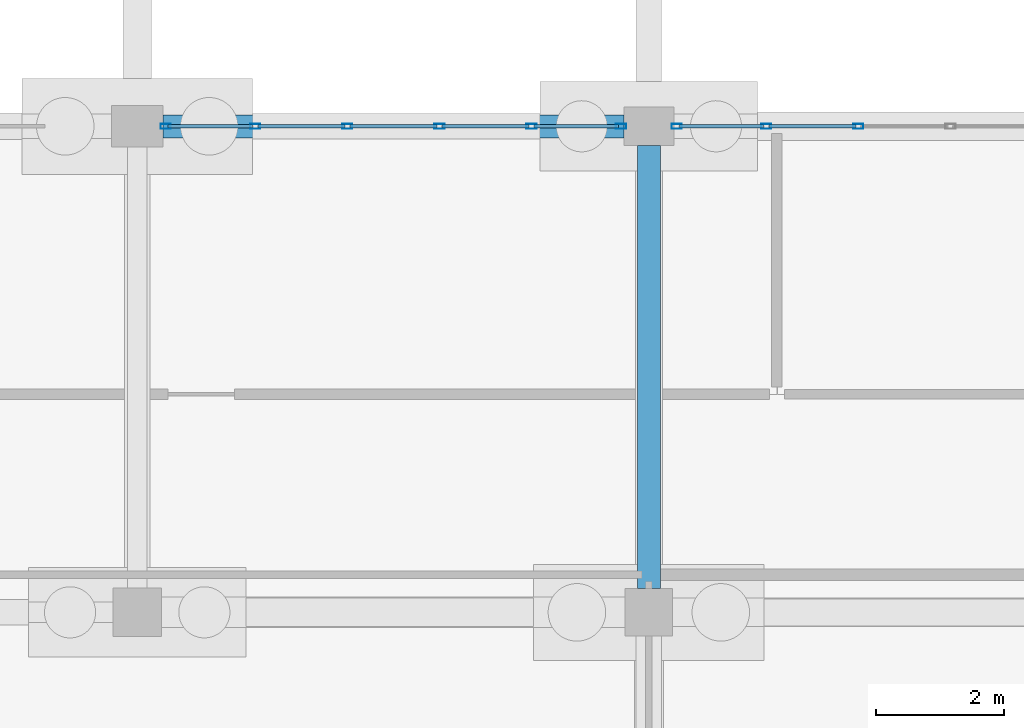
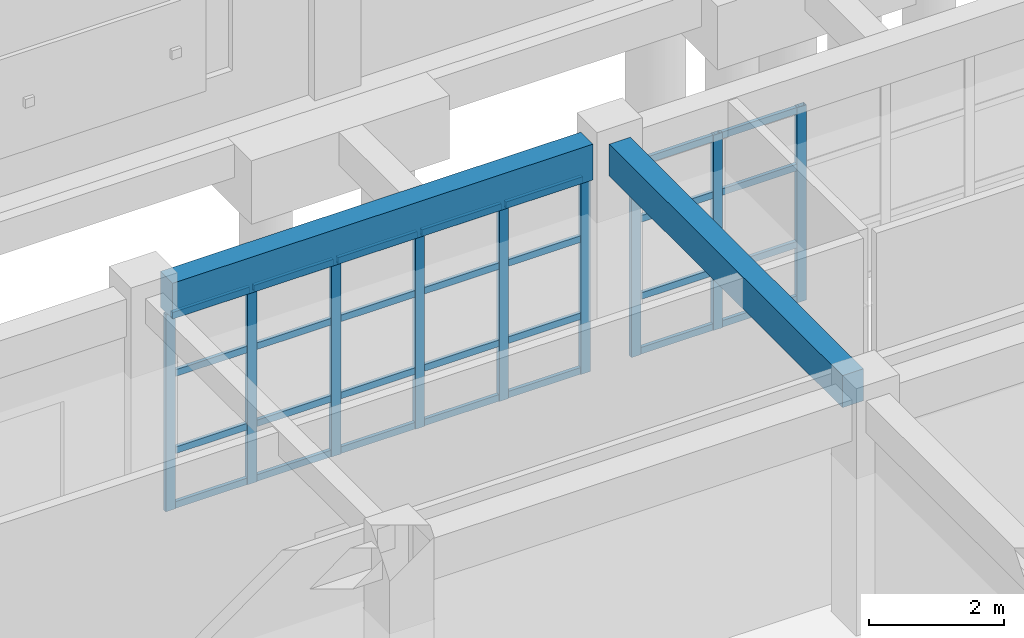
# One storey, part 50 of 166: 37 members, 2 beams, 2 elements without a shape of their own.
"""IFC4 building model written with IfcOpenShell, lengths in metres."""

from ifc_helpers import new_model, si_unit, direction, frame, origin, origin_2d, place, context, subcontext, project, spatial, rectangle, hollow_rectangle, extrude, material, material_profile, profile_set, type_object, element, aggregate, save


model = new_model("IFC4")

# Units and contexts
model_context = context("Model", 3, precision=1e-05, world=origin(), true_north=direction((0.0, 1.0)))
body_context = subcontext(model_context, "Body", "Model", "MODEL_VIEW")
ifc_project = project(units=[si_unit("LENGTHUNIT", "METRE"), si_unit("AREAUNIT", "SQUARE_METRE"), si_unit("VOLUMEUNIT", "CUBIC_METRE"), si_unit("PLANEANGLEUNIT", "RADIAN"), si_unit("MASSUNIT", "GRAM", prefix="KILO")], contexts=[model_context])

# Site, building, storey
site_placement = place(None, origin())
site = spatial("IfcSite", under=ifc_project, at=site_placement, CompositionType="ELEMENT")
building_placement = place(site_placement, origin())
building = spatial("IfcBuilding", under=site, at=building_placement, Name="Kharva Crest Polytechnic", CompositionType="ELEMENT")
storey_placement = place(building_placement, origin())
storey = spatial("IfcBuildingStorey", under=building, at=storey_placement, Name="L00", CompositionType="ELEMENT", Elevation=0.0)

# Beam
ifc_material_1 = material(Name="Concrete C35/45", Category="concrete")
ifc_material_profile_1 = material_profile(ifc_material_1, rectangle(XDim=0.360107421875, YDim=0.580078125, at=origin_2d()), Name="RECT 360 X 580")
ifc_profile_set_1 = profile_set([ifc_material_profile_1], Name="Concrete C35/45")
beam_type_1 = type_object("IfcBeamType", Name="BM-RC-360X580", PredefinedType="BEAM", material=ifc_profile_set_1)
beam_1_placement = place(storey_placement, frame((16.0, 23.169921875, 3.929931640625), z_axis=(0.0, 1.0, 0.0), x_axis=(-1.0, 0.0, 0.0)))
element("IfcBeam", 1, at=beam_1_placement, inside=storey, type_object=beam_type_1, Name="L00 Girder 3/D-E", PredefinedType="BEAM", context=body_context, shape_type="SweptSolid", body=[
    extrude(rectangle(XDim=0.360107421875, YDim=0.580078125, at=origin_2d()), origin(), (0.0, 0.0, 1.0), 6.93017578125),
])

# Curtain wall, members
ifc_material_2 = material(Name="Tempered insulated glass", Category="glass")
curtain_wall_type = type_object("IfcCurtainWallType", Name="CW-SYS-COURT", PredefinedType="USERDEFINED", material=ifc_material_2)
curtain_wall_1_placement = place(storey_placement, origin())
curtain_wall_1 = element("IfcCurtainWall", 2, at=curtain_wall_1_placement, inside=storey, type_object=curtain_wall_type, Name="L00 Glazed Curtain Wall CW-003", ObjectType="CURTAIN WALL", PredefinedType="USERDEFINED")
ifc_material_3 = material(Name="Steel S355", Category="steel")
ifc_material_profile_2 = material_profile(ifc_material_3, hollow_rectangle(XDim=0.080078125, YDim=0.159912109375, WallThickness=0.0048828125, at=origin_2d()), Name="RHS 160X80X5.0")
ifc_profile_set_2 = profile_set([ifc_material_profile_2], Name="Steel S355")
member_type_1 = type_object("IfcMemberType", Name="CWM-RHS160X80", PredefinedType="MULLION", material=ifc_profile_set_2)
member_1_placement = place(storey_placement, frame((19.27490234375, 30.39990234375, 0.0), z_axis=(0.0, 0.0, 1.0), x_axis=(0.0, -1.0, 0.0)))
member_1 = element("IfcMember", 3, at=member_1_placement, type_object=member_type_1, Name="CW-003 mullion 4", PredefinedType="MULLION", context=body_context, shape_type="SweptSolid", body=[
    extrude(hollow_rectangle(XDim=0.080078125, YDim=0.159912109375, WallThickness=0.0048828125, at=origin_2d()), origin(), (0.0, 0.0, 1.0), 3.5400390625),
])
member_2_placement = place(storey_placement, frame((17.8349609375, 30.39990234375, 0.0), z_axis=(0.0, 0.0, 1.0), x_axis=(0.0, -1.0, 0.0)))
member_2 = element("IfcMember", 4, at=member_2_placement, type_object=member_type_1, Name="CW-003 mullion 5", PredefinedType="MULLION", context=body_context, shape_type="SweptSolid", body=[
    extrude(hollow_rectangle(XDim=0.080078125, YDim=0.159912109375, WallThickness=0.0048828125, at=origin_2d()), origin(), (0.0, 0.0, 1.0), 3.5400390625),
])
member_3_placement = place(storey_placement, frame((16.43505859375, 30.39990234375, 0.0), z_axis=(0.0, 0.0, 1.0), x_axis=(0.0, -1.0, 0.0)))
member_3 = element("IfcMember", 5, at=member_3_placement, type_object=member_type_1, Name="CW-003 mullion 6", PredefinedType="MULLION", context=body_context, shape_type="SweptSolid", body=[
    extrude(hollow_rectangle(XDim=0.080078125, YDim=0.159912109375, WallThickness=0.0048828125, at=origin_2d()), origin(), (0.0, 0.0, 1.0), 3.5400390625),
])

curtain_wall_2_placement = place(storey_placement, origin())
curtain_wall_2 = element("IfcCurtainWall", 6, at=curtain_wall_2_placement, inside=storey, type_object=curtain_wall_type, Name="L00 Glazed Curtain Wall CW-004", ObjectType="CURTAIN WALL", PredefinedType="USERDEFINED")
member_4_placement = place(storey_placement, frame((15.56494140625, 30.39990234375, 0.0), z_axis=(0.0, 0.0, 1.0), x_axis=(0.0, -1.0, 0.0)))
member_4 = element("IfcMember", 7, at=member_4_placement, type_object=member_type_1, Name="CW-004 mullion 1", PredefinedType="MULLION", context=body_context, shape_type="SweptSolid", body=[
    extrude(hollow_rectangle(XDim=0.080078125, YDim=0.159912109375, WallThickness=0.0048828125, at=origin_2d()), origin(), (0.0, 0.0, 1.0), 3.570068359375),
])
member_5_placement = place(storey_placement, frame((14.1650390625, 30.39990234375, 0.0), z_axis=(0.0, 0.0, 1.0), x_axis=(0.0, -1.0, 0.0)))
member_5 = element("IfcMember", 8, at=member_5_placement, type_object=member_type_1, Name="CW-004 mullion 2", PredefinedType="MULLION", context=body_context, shape_type="SweptSolid", body=[
    extrude(hollow_rectangle(XDim=0.080078125, YDim=0.159912109375, WallThickness=0.0048828125, at=origin_2d()), origin(), (0.0, 0.0, 1.0), 3.570068359375),
])
member_6_placement = place(storey_placement, frame((12.72509765625, 30.39990234375, 0.0), z_axis=(0.0, 0.0, 1.0), x_axis=(0.0, -1.0, 0.0)))
member_6 = element("IfcMember", 9, at=member_6_placement, type_object=member_type_1, Name="CW-004 mullion 3", PredefinedType="MULLION", context=body_context, shape_type="SweptSolid", body=[
    extrude(hollow_rectangle(XDim=0.080078125, YDim=0.159912109375, WallThickness=0.0048828125, at=origin_2d()), origin(), (0.0, 0.0, 1.0), 3.570068359375),
])
member_7_placement = place(storey_placement, frame((11.284912109375, 30.39990234375, 0.0), z_axis=(0.0, 0.0, 1.0), x_axis=(0.0, -1.0, 0.0)))
member_7 = element("IfcMember", 10, at=member_7_placement, type_object=member_type_1, Name="CW-004 mullion 4", PredefinedType="MULLION", context=body_context, shape_type="SweptSolid", body=[
    extrude(hollow_rectangle(XDim=0.080078125, YDim=0.159912109375, WallThickness=0.0048828125, at=origin_2d()), origin(), (0.0, 0.0, 1.0), 3.570068359375),
])
member_8_placement = place(storey_placement, frame((9.844970703125, 30.39990234375, 0.0), z_axis=(0.0, 0.0, 1.0), x_axis=(0.0, -1.0, 0.0)))
member_8 = element("IfcMember", 11, at=member_8_placement, type_object=member_type_1, Name="CW-004 mullion 5", PredefinedType="MULLION", context=body_context, shape_type="SweptSolid", body=[
    extrude(hollow_rectangle(XDim=0.080078125, YDim=0.159912109375, WallThickness=0.0048828125, at=origin_2d()), origin(), (0.0, 0.0, 1.0), 3.570068359375),
])
member_9_placement = place(storey_placement, frame((8.445068359375, 30.39990234375, 0.0), z_axis=(0.0, 0.0, 1.0), x_axis=(0.0, -1.0, 0.0)))
member_9 = element("IfcMember", 12, at=member_9_placement, type_object=member_type_1, Name="CW-004 mullion 6", PredefinedType="MULLION", context=body_context, shape_type="SweptSolid", body=[
    extrude(hollow_rectangle(XDim=0.080078125, YDim=0.159912109375, WallThickness=0.0048828125, at=origin_2d()), origin(), (0.0, 0.0, 1.0), 3.570068359375),
])

# Member
ifc_material_profile_3 = material_profile(ifc_material_3, hollow_rectangle(XDim=0.06005859375, YDim=0.1201171875, WallThickness=0.00390625, at=origin_2d()), Name="RHS 120X60X4.0")
ifc_profile_set_3 = profile_set([ifc_material_profile_3], Name="Steel S355")
member_type_2 = type_object("IfcMemberType", Name="CWT-RHS120X60", PredefinedType="USERDEFINED", material=ifc_profile_set_3)
member_10_placement = place(storey_placement, frame((19.235107421875, 30.39990234375, 0.06005859375), z_axis=(-1.0, 0.0, 0.0), x_axis=(0.0, -1.0, 0.0)))
member_10 = element("IfcMember", 13, at=member_10_placement, type_object=member_type_2, Name="CW-003 transom 4.1", ObjectType="TRANSOM", PredefinedType="USERDEFINED", context=body_context, shape_type="SweptSolid", body=[
    extrude(hollow_rectangle(XDim=0.06005859375, YDim=0.1201171875, WallThickness=0.00390625, at=origin_2d()), origin(), (0.0, 0.0, 1.0), 1.360107421875),
])

member_11_placement = place(storey_placement, frame((19.235107421875, 30.39990234375, 1.050048828125), z_axis=(-1.0, 0.0, 0.0), x_axis=(0.0, -1.0, 0.0)))
member_11 = element("IfcMember", 14, at=member_11_placement, type_object=member_type_2, Name="CW-003 transom 4.2", ObjectType="TRANSOM", PredefinedType="USERDEFINED", context=body_context, shape_type="SweptSolid", body=[
    extrude(hollow_rectangle(XDim=0.06005859375, YDim=0.1201171875, WallThickness=0.00390625, at=origin_2d()), origin(), (0.0, 0.0, 1.0), 1.360107421875),
])

member_12_placement = place(storey_placement, frame((19.235107421875, 30.39990234375, 2.449951171875), z_axis=(-1.0, 0.0, 0.0), x_axis=(0.0, -1.0, 0.0)))
member_12 = element("IfcMember", 15, at=member_12_placement, type_object=member_type_2, Name="CW-003 transom 4.3", ObjectType="TRANSOM", PredefinedType="USERDEFINED", context=body_context, shape_type="SweptSolid", body=[
    extrude(hollow_rectangle(XDim=0.06005859375, YDim=0.1201171875, WallThickness=0.00390625, at=origin_2d()), origin(), (0.0, 0.0, 1.0), 1.360107421875),
])

member_13_placement = place(storey_placement, frame((19.235107421875, 30.39990234375, 3.47998046875), z_axis=(-1.0, 0.0, 0.0), x_axis=(0.0, -1.0, 0.0)))
member_13 = element("IfcMember", 16, at=member_13_placement, type_object=member_type_2, Name="CW-003 transom 4.4", ObjectType="TRANSOM", PredefinedType="USERDEFINED", context=body_context, shape_type="SweptSolid", body=[
    extrude(hollow_rectangle(XDim=0.06005859375, YDim=0.1201171875, WallThickness=0.00390625, at=origin_2d()), origin(), (0.0, 0.0, 1.0), 1.360107421875),
])

member_14_placement = place(storey_placement, frame((17.794921875, 30.39990234375, 0.06005859375), z_axis=(-1.0, 0.0, 0.0), x_axis=(0.0, -1.0, 0.0)))
member_14 = element("IfcMember", 17, at=member_14_placement, type_object=member_type_2, Name="CW-003 transom 5.1", ObjectType="TRANSOM", PredefinedType="USERDEFINED", context=body_context, shape_type="SweptSolid", body=[
    extrude(hollow_rectangle(XDim=0.06005859375, YDim=0.1201171875, WallThickness=0.00390625, at=origin_2d()), origin(), (0.0, 0.0, 1.0), 1.31982421875),
])

member_15_placement = place(storey_placement, frame((17.794921875, 30.39990234375, 1.050048828125), z_axis=(-1.0, 0.0, 0.0), x_axis=(0.0, -1.0, 0.0)))
member_15 = element("IfcMember", 18, at=member_15_placement, type_object=member_type_2, Name="CW-003 transom 5.2", ObjectType="TRANSOM", PredefinedType="USERDEFINED", context=body_context, shape_type="SweptSolid", body=[
    extrude(hollow_rectangle(XDim=0.06005859375, YDim=0.1201171875, WallThickness=0.00390625, at=origin_2d()), origin(), (0.0, 0.0, 1.0), 1.31982421875),
])

member_16_placement = place(storey_placement, frame((17.794921875, 30.39990234375, 2.449951171875), z_axis=(-1.0, 0.0, 0.0), x_axis=(0.0, -1.0, 0.0)))
member_16 = element("IfcMember", 19, at=member_16_placement, type_object=member_type_2, Name="CW-003 transom 5.3", ObjectType="TRANSOM", PredefinedType="USERDEFINED", context=body_context, shape_type="SweptSolid", body=[
    extrude(hollow_rectangle(XDim=0.06005859375, YDim=0.1201171875, WallThickness=0.00390625, at=origin_2d()), origin(), (0.0, 0.0, 1.0), 1.31982421875),
])

member_17_placement = place(storey_placement, frame((17.794921875, 30.39990234375, 3.47998046875), z_axis=(-1.0, 0.0, 0.0), x_axis=(0.0, -1.0, 0.0)))
member_17 = element("IfcMember", 20, at=member_17_placement, type_object=member_type_2, Name="CW-003 transom 5.4", ObjectType="TRANSOM", PredefinedType="USERDEFINED", context=body_context, shape_type="SweptSolid", body=[
    extrude(hollow_rectangle(XDim=0.06005859375, YDim=0.1201171875, WallThickness=0.00390625, at=origin_2d()), origin(), (0.0, 0.0, 1.0), 1.31982421875),
])

aggregate(curtain_wall_1, [member_1, member_2, member_3, member_10, member_11, member_12, member_13, member_14, member_15, member_16, member_17])

member_18_placement = place(storey_placement, frame((15.52490234375, 30.39990234375, 0.06005859375), z_axis=(-1.0, 0.0, 0.0), x_axis=(0.0, -1.0, 0.0)))
member_18 = element("IfcMember", 21, at=member_18_placement, type_object=member_type_2, Name="CW-004 transom 1.1", ObjectType="TRANSOM", PredefinedType="USERDEFINED", context=body_context, shape_type="SweptSolid", body=[
    extrude(hollow_rectangle(XDim=0.06005859375, YDim=0.1201171875, WallThickness=0.00390625, at=origin_2d()), origin(), (0.0, 0.0, 1.0), 1.31982421875),
])

member_19_placement = place(storey_placement, frame((15.52490234375, 30.39990234375, 1.050048828125), z_axis=(-1.0, 0.0, 0.0), x_axis=(0.0, -1.0, 0.0)))
member_19 = element("IfcMember", 22, at=member_19_placement, type_object=member_type_2, Name="CW-004 transom 1.2", ObjectType="TRANSOM", PredefinedType="USERDEFINED", context=body_context, shape_type="SweptSolid", body=[
    extrude(hollow_rectangle(XDim=0.06005859375, YDim=0.1201171875, WallThickness=0.00390625, at=origin_2d()), origin(), (0.0, 0.0, 1.0), 1.31982421875),
])

member_20_placement = place(storey_placement, frame((15.52490234375, 30.39990234375, 2.449951171875), z_axis=(-1.0, 0.0, 0.0), x_axis=(0.0, -1.0, 0.0)))
member_20 = element("IfcMember", 23, at=member_20_placement, type_object=member_type_2, Name="CW-004 transom 1.3", ObjectType="TRANSOM", PredefinedType="USERDEFINED", context=body_context, shape_type="SweptSolid", body=[
    extrude(hollow_rectangle(XDim=0.06005859375, YDim=0.1201171875, WallThickness=0.00390625, at=origin_2d()), origin(), (0.0, 0.0, 1.0), 1.31982421875),
])

member_21_placement = place(storey_placement, frame((15.52490234375, 30.39990234375, 3.510009765625), z_axis=(-1.0, 0.0, 0.0), x_axis=(0.0, -1.0, 0.0)))
member_21 = element("IfcMember", 24, at=member_21_placement, type_object=member_type_2, Name="CW-004 transom 1.4", ObjectType="TRANSOM", PredefinedType="USERDEFINED", context=body_context, shape_type="SweptSolid", body=[
    extrude(hollow_rectangle(XDim=0.06005859375, YDim=0.1201171875, WallThickness=0.00390625, at=origin_2d()), origin(), (0.0, 0.0, 1.0), 1.31982421875),
])

member_22_placement = place(storey_placement, frame((14.125, 30.39990234375, 0.06005859375), z_axis=(-1.0, 0.0, 0.0), x_axis=(0.0, -1.0, 0.0)))
member_22 = element("IfcMember", 25, at=member_22_placement, type_object=member_type_2, Name="CW-004 transom 2.1", ObjectType="TRANSOM", PredefinedType="USERDEFINED", context=body_context, shape_type="SweptSolid", body=[
    extrude(hollow_rectangle(XDim=0.06005859375, YDim=0.1201171875, WallThickness=0.00390625, at=origin_2d()), origin(), (0.0, 0.0, 1.0), 1.360107421875),
])

member_23_placement = place(storey_placement, frame((14.125, 30.39990234375, 1.050048828125), z_axis=(-1.0, 0.0, 0.0), x_axis=(0.0, -1.0, 0.0)))
member_23 = element("IfcMember", 26, at=member_23_placement, type_object=member_type_2, Name="CW-004 transom 2.2", ObjectType="TRANSOM", PredefinedType="USERDEFINED", context=body_context, shape_type="SweptSolid", body=[
    extrude(hollow_rectangle(XDim=0.06005859375, YDim=0.1201171875, WallThickness=0.00390625, at=origin_2d()), origin(), (0.0, 0.0, 1.0), 1.360107421875),
])

member_24_placement = place(storey_placement, frame((14.125, 30.39990234375, 2.449951171875), z_axis=(-1.0, 0.0, 0.0), x_axis=(0.0, -1.0, 0.0)))
member_24 = element("IfcMember", 27, at=member_24_placement, type_object=member_type_2, Name="CW-004 transom 2.3", ObjectType="TRANSOM", PredefinedType="USERDEFINED", context=body_context, shape_type="SweptSolid", body=[
    extrude(hollow_rectangle(XDim=0.06005859375, YDim=0.1201171875, WallThickness=0.00390625, at=origin_2d()), origin(), (0.0, 0.0, 1.0), 1.360107421875),
])

member_25_placement = place(storey_placement, frame((14.125, 30.39990234375, 3.510009765625), z_axis=(-1.0, 0.0, 0.0), x_axis=(0.0, -1.0, 0.0)))
member_25 = element("IfcMember", 28, at=member_25_placement, type_object=member_type_2, Name="CW-004 transom 2.4", ObjectType="TRANSOM", PredefinedType="USERDEFINED", context=body_context, shape_type="SweptSolid", body=[
    extrude(hollow_rectangle(XDim=0.06005859375, YDim=0.1201171875, WallThickness=0.00390625, at=origin_2d()), origin(), (0.0, 0.0, 1.0), 1.360107421875),
])

member_26_placement = place(storey_placement, frame((12.68505859375, 30.39990234375, 0.06005859375), z_axis=(-1.0, 0.0, 0.0), x_axis=(0.0, -1.0, 0.0)))
member_26 = element("IfcMember", 29, at=member_26_placement, type_object=member_type_2, Name="CW-004 transom 3.1", ObjectType="TRANSOM", PredefinedType="USERDEFINED", context=body_context, shape_type="SweptSolid", body=[
    extrude(hollow_rectangle(XDim=0.06005859375, YDim=0.1201171875, WallThickness=0.00390625, at=origin_2d()), origin(), (0.0, 0.0, 1.0), 1.360107421875),
])

member_27_placement = place(storey_placement, frame((12.68505859375, 30.39990234375, 1.050048828125), z_axis=(-1.0, 0.0, 0.0), x_axis=(0.0, -1.0, 0.0)))
member_27 = element("IfcMember", 30, at=member_27_placement, type_object=member_type_2, Name="CW-004 transom 3.2", ObjectType="TRANSOM", PredefinedType="USERDEFINED", context=body_context, shape_type="SweptSolid", body=[
    extrude(hollow_rectangle(XDim=0.06005859375, YDim=0.1201171875, WallThickness=0.00390625, at=origin_2d()), origin(), (0.0, 0.0, 1.0), 1.360107421875),
])

member_28_placement = place(storey_placement, frame((12.68505859375, 30.39990234375, 2.449951171875), z_axis=(-1.0, 0.0, 0.0), x_axis=(0.0, -1.0, 0.0)))
member_28 = element("IfcMember", 31, at=member_28_placement, type_object=member_type_2, Name="CW-004 transom 3.3", ObjectType="TRANSOM", PredefinedType="USERDEFINED", context=body_context, shape_type="SweptSolid", body=[
    extrude(hollow_rectangle(XDim=0.06005859375, YDim=0.1201171875, WallThickness=0.00390625, at=origin_2d()), origin(), (0.0, 0.0, 1.0), 1.360107421875),
])

member_29_placement = place(storey_placement, frame((12.68505859375, 30.39990234375, 3.510009765625), z_axis=(-1.0, 0.0, 0.0), x_axis=(0.0, -1.0, 0.0)))
member_29 = element("IfcMember", 32, at=member_29_placement, type_object=member_type_2, Name="CW-004 transom 3.4", ObjectType="TRANSOM", PredefinedType="USERDEFINED", context=body_context, shape_type="SweptSolid", body=[
    extrude(hollow_rectangle(XDim=0.06005859375, YDim=0.1201171875, WallThickness=0.00390625, at=origin_2d()), origin(), (0.0, 0.0, 1.0), 1.360107421875),
])

member_30_placement = place(storey_placement, frame((11.2451171875, 30.39990234375, 0.06005859375), z_axis=(-1.0, 0.0, 0.0), x_axis=(0.0, -1.0, 0.0)))
member_30 = element("IfcMember", 33, at=member_30_placement, type_object=member_type_2, Name="CW-004 transom 4.1", ObjectType="TRANSOM", PredefinedType="USERDEFINED", context=body_context, shape_type="SweptSolid", body=[
    extrude(hollow_rectangle(XDim=0.06005859375, YDim=0.1201171875, WallThickness=0.00390625, at=origin_2d()), origin(), (0.0, 0.0, 1.0), 1.360107421875),
])

member_31_placement = place(storey_placement, frame((11.2451171875, 30.39990234375, 1.050048828125), z_axis=(-1.0, 0.0, 0.0), x_axis=(0.0, -1.0, 0.0)))
member_31 = element("IfcMember", 34, at=member_31_placement, type_object=member_type_2, Name="CW-004 transom 4.2", ObjectType="TRANSOM", PredefinedType="USERDEFINED", context=body_context, shape_type="SweptSolid", body=[
    extrude(hollow_rectangle(XDim=0.06005859375, YDim=0.1201171875, WallThickness=0.00390625, at=origin_2d()), origin(), (0.0, 0.0, 1.0), 1.360107421875),
])

member_32_placement = place(storey_placement, frame((11.2451171875, 30.39990234375, 2.449951171875), z_axis=(-1.0, 0.0, 0.0), x_axis=(0.0, -1.0, 0.0)))
member_32 = element("IfcMember", 35, at=member_32_placement, type_object=member_type_2, Name="CW-004 transom 4.3", ObjectType="TRANSOM", PredefinedType="USERDEFINED", context=body_context, shape_type="SweptSolid", body=[
    extrude(hollow_rectangle(XDim=0.06005859375, YDim=0.1201171875, WallThickness=0.00390625, at=origin_2d()), origin(), (0.0, 0.0, 1.0), 1.360107421875),
])

member_33_placement = place(storey_placement, frame((11.2451171875, 30.39990234375, 3.510009765625), z_axis=(-1.0, 0.0, 0.0), x_axis=(0.0, -1.0, 0.0)))
member_33 = element("IfcMember", 36, at=member_33_placement, type_object=member_type_2, Name="CW-004 transom 4.4", ObjectType="TRANSOM", PredefinedType="USERDEFINED", context=body_context, shape_type="SweptSolid", body=[
    extrude(hollow_rectangle(XDim=0.06005859375, YDim=0.1201171875, WallThickness=0.00390625, at=origin_2d()), origin(), (0.0, 0.0, 1.0), 1.360107421875),
])

member_34_placement = place(storey_placement, frame((9.804931640625, 30.39990234375, 0.06005859375), z_axis=(-1.0, 0.0, 0.0), x_axis=(0.0, -1.0, 0.0)))
member_34 = element("IfcMember", 37, at=member_34_placement, type_object=member_type_2, Name="CW-004 transom 5.1", ObjectType="TRANSOM", PredefinedType="USERDEFINED", context=body_context, shape_type="SweptSolid", body=[
    extrude(hollow_rectangle(XDim=0.06005859375, YDim=0.1201171875, WallThickness=0.00390625, at=origin_2d()), origin(), (0.0, 0.0, 1.0), 1.31982421875),
])

member_35_placement = place(storey_placement, frame((9.804931640625, 30.39990234375, 1.050048828125), z_axis=(-1.0, 0.0, 0.0), x_axis=(0.0, -1.0, 0.0)))
member_35 = element("IfcMember", 38, at=member_35_placement, type_object=member_type_2, Name="CW-004 transom 5.2", ObjectType="TRANSOM", PredefinedType="USERDEFINED", context=body_context, shape_type="SweptSolid", body=[
    extrude(hollow_rectangle(XDim=0.06005859375, YDim=0.1201171875, WallThickness=0.00390625, at=origin_2d()), origin(), (0.0, 0.0, 1.0), 1.31982421875),
])

member_36_placement = place(storey_placement, frame((9.804931640625, 30.39990234375, 2.449951171875), z_axis=(-1.0, 0.0, 0.0), x_axis=(0.0, -1.0, 0.0)))
member_36 = element("IfcMember", 39, at=member_36_placement, type_object=member_type_2, Name="CW-004 transom 5.3", ObjectType="TRANSOM", PredefinedType="USERDEFINED", context=body_context, shape_type="SweptSolid", body=[
    extrude(hollow_rectangle(XDim=0.06005859375, YDim=0.1201171875, WallThickness=0.00390625, at=origin_2d()), origin(), (0.0, 0.0, 1.0), 1.31982421875),
])

member_37_placement = place(storey_placement, frame((9.804931640625, 30.39990234375, 3.510009765625), z_axis=(-1.0, 0.0, 0.0), x_axis=(0.0, -1.0, 0.0)))
member_37 = element("IfcMember", 40, at=member_37_placement, type_object=member_type_2, Name="CW-004 transom 5.4", ObjectType="TRANSOM", PredefinedType="USERDEFINED", context=body_context, shape_type="SweptSolid", body=[
    extrude(hollow_rectangle(XDim=0.06005859375, YDim=0.1201171875, WallThickness=0.00390625, at=origin_2d()), origin(), (0.0, 0.0, 1.0), 1.31982421875),
])

aggregate(curtain_wall_2, [member_4, member_5, member_6, member_7, member_8, member_9, member_18, member_19, member_20, member_21, member_22, member_23, member_24, member_25, member_26, member_27, member_28, member_29, member_30, member_31, member_32, member_33, member_34, member_35, member_36, member_37])

# Beam
ifc_material_profile_4 = material_profile(ifc_material_1, rectangle(XDim=0.360107421875, YDim=0.64990234375, at=origin_2d()), Name="RECT 360 X 650")
ifc_profile_set_4 = profile_set([ifc_material_profile_4], Name="Concrete C35/45")
beam_type_2 = type_object("IfcBeamType", Name="SP-RC-360X650", PredefinedType="SPANDREL", material=ifc_profile_set_4)
beam_2_placement = place(storey_placement, frame((8.39990234375, 30.39990234375, 3.89501953125), z_axis=(1.0, 0.0, 0.0), x_axis=(0.0, 1.0, 0.0)))
element("IfcBeam", 41, at=beam_2_placement, inside=storey, type_object=beam_type_2, Name="L00 Beam E/2-3", PredefinedType="SPANDREL", context=body_context, shape_type="SweptSolid", body=[
    extrude(rectangle(XDim=0.360107421875, YDim=0.64990234375, at=origin_2d()), origin(), (0.0, 0.0, 1.0), 7.210205078125),
])

save(model, "model.ifc")
